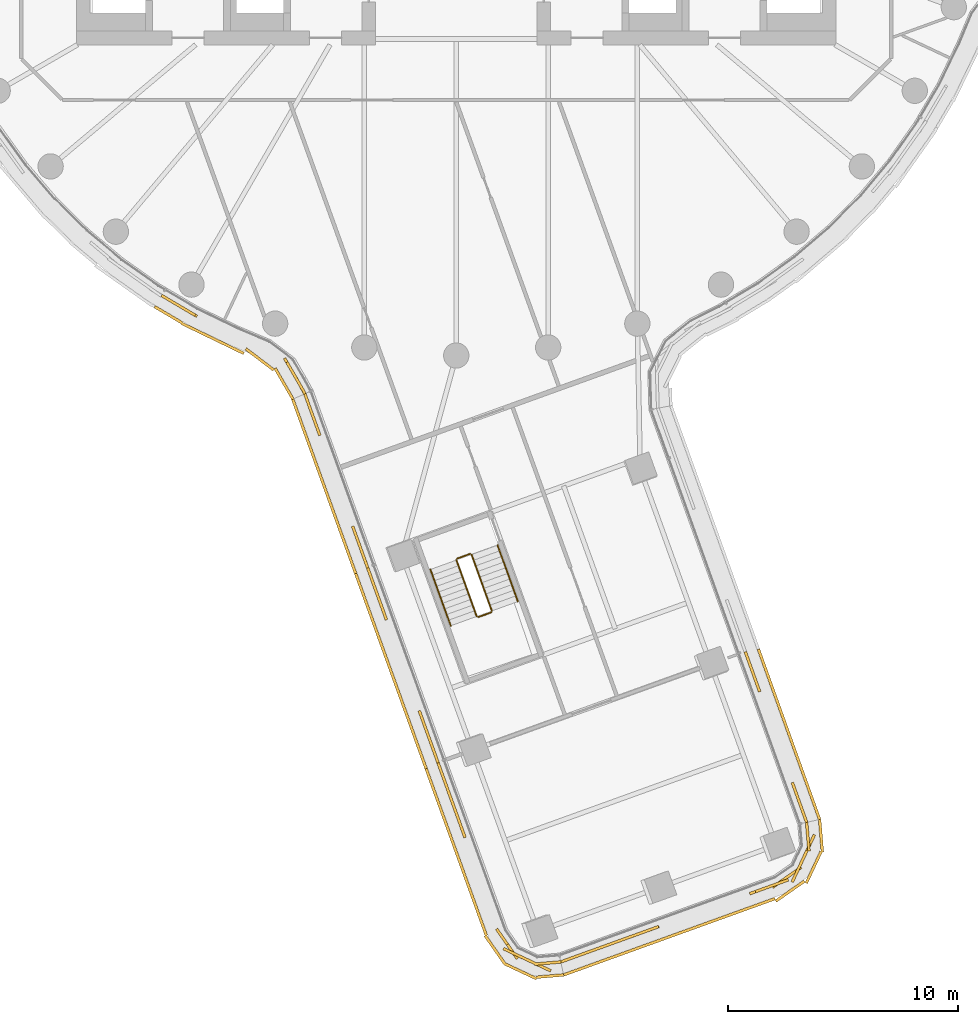
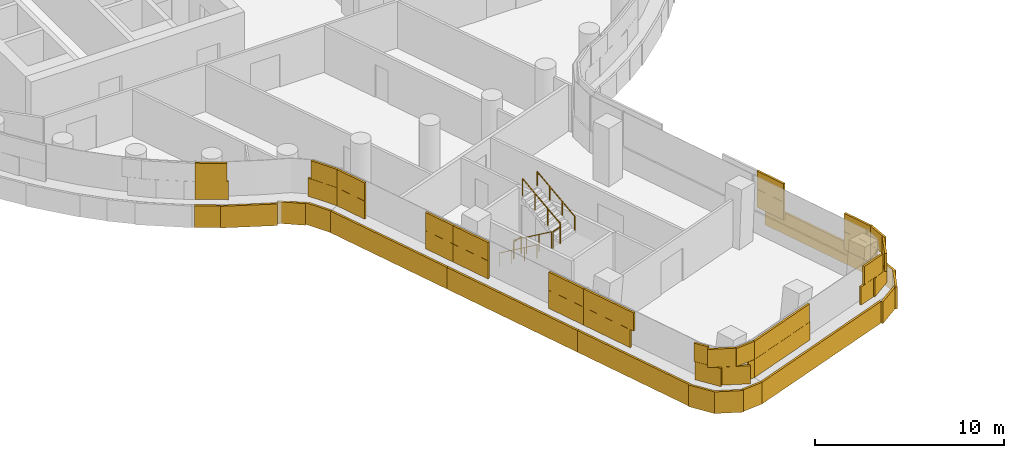
# One storey, part 24 of 30: 6 coverings, 6 railings.
"""IFC4 building model written with IfcOpenShell, lengths in metres."""

from ifc_helpers import new_model, si_unit, direction, frame, origin, origin_2d, place, context, subcontext, project, spatial, rectangle, circle, extrude, material, layer, layer_set, type_object, element, save


model = new_model("IFC4")

# Units and contexts
model_context = context("Model", 3, precision=1e-05, world=origin(), true_north=direction((0.0, 1.0)))
body_context = subcontext(model_context, "Body", "Model", "MODEL_VIEW")
ifc_project = project(units=[si_unit("LENGTHUNIT", "METRE"), si_unit("AREAUNIT", "SQUARE_METRE"), si_unit("VOLUMEUNIT", "CUBIC_METRE"), si_unit("PLANEANGLEUNIT", "RADIAN"), si_unit("MASSUNIT", "GRAM", prefix="KILO")], contexts=[model_context])

# Site, building, storey
site_placement = place(None, origin())
site = spatial("IfcSite", under=ifc_project, at=site_placement, CompositionType="ELEMENT")
building_placement = place(site_placement, origin())
building = spatial("IfcBuilding", under=site, at=building_placement, Name="Tamarind Cross Interchange Tower", CompositionType="ELEMENT")
storey_placement = place(building_placement, frame((0.0, 0.0, 106.0)))
storey = spatial("IfcBuildingStorey", under=building, at=storey_placement, Name="L25", CompositionType="ELEMENT", Elevation=106.0)

# Railings
ifc_material_1 = material(Name="Stair guard")
railing_type_1 = type_object("IfcRailingType", Name="Stair guard", PredefinedType="GUARDRAIL", material=ifc_material_1)
railing_1_placement = place(storey_placement, frame((0.007080078125, -31.885009765625, 0.17041015625)))
element("IfcRailing", 1, at=railing_1_placement, inside=storey, type_object=railing_type_1, Name="L25 ST6 stair guard 1", PredefinedType="GUARDRAIL", context=body_context, shape_type="SweptSolid", body=[
    extrude(circle(Radius=0.02392578125, at=origin_2d()), frame((0.0, 0.0, 1.076171875), z_axis=(0.284028229763, -0.786594077285, 0.548267929281), x_axis=(0.940561398365, 0.339623697503, 0.0)), (0.0, 0.0, 1.0), 3.109130859375),
    extrude(circle(Radius=0.02099609375, at=origin_2d()), origin(), (0.0, 0.0, 1.0), 1.052001953125),
    extrude(circle(Radius=0.02099609375, at=origin_2d()), frame((0.29443359375, -0.815185546875, 0.568115234375)), (0.0, 0.0, 1.0), 1.052001953125),
    extrude(circle(Radius=0.02099609375, at=origin_2d()), frame((0.588623046875, -1.63037109375, 1.136474609375)), (0.0, 0.0, 1.0), 1.052001953125),
    extrude(circle(Radius=0.02099609375, at=origin_2d()), frame((0.883056640625, -2.445556640625, 1.70458984375)), (0.0, 0.0, 1.0), 1.052001953125),
])
railing_2_placement = place(storey_placement, frame((0.9541015625, -34.360595703125, 1.875)))
element("IfcRailing", 2, at=railing_2_placement, inside=storey, type_object=railing_type_1, Name="L25 ST6 stair guard 2", PredefinedType="GUARDRAIL", context=body_context, shape_type="SweptSolid", body=[
    extrude(circle(Radius=0.02392578125, at=origin_2d()), frame((0.0, 0.0, 1.076171875), z_axis=(0.940492492574, 0.339814466161, 0.0), x_axis=(-0.339814466161, 0.940492492574, 0.0)), (0.0, 0.0, 1.0), 0.599853515625),
    extrude(circle(Radius=0.02099609375, at=origin_2d()), origin(), (0.0, 0.0, 1.0), 1.052001953125),
    extrude(circle(Radius=0.02099609375, at=origin_2d()), frame((0.564208984375, 0.203857421875, 0.0)), (0.0, 0.0, 1.0), 1.052001953125),
])
railing_3_placement = place(storey_placement, frame((1.54833984375, -34.0927734375, 2.04541015625)))
element("IfcRailing", 3, at=railing_3_placement, inside=storey, type_object=railing_type_1, Name="L25 ST6 stair guard 3", PredefinedType="GUARDRAIL", context=body_context, shape_type="SweptSolid", body=[
    extrude(circle(Radius=0.02392578125, at=origin_2d()), frame((0.0, 0.0, 1.076171875), z_axis=(-0.28395603628, 0.786611619308, 0.548280156335), x_axis=(-0.940591389669, -0.339540627438, 0.0)), (0.0, 0.0, 1.0), 3.10888671875),
    extrude(circle(Radius=0.02099609375, at=origin_2d()), origin(), (0.0, 0.0, 1.0), 1.052001953125),
    extrude(circle(Radius=0.02099609375, at=origin_2d()), frame((-0.294189453125, 0.815185546875, 0.568115234375)), (0.0, 0.0, 1.0), 1.052001953125),
    extrude(circle(Radius=0.02099609375, at=origin_2d()), frame((-0.588623046875, 1.63037109375, 1.136474609375)), (0.0, 0.0, 1.0), 1.052001953125),
    extrude(circle(Radius=0.02099609375, at=origin_2d()), frame((-0.8828125, 2.445556640625, 1.70458984375)), (0.0, 0.0, 1.0), 1.052001953125),
])
railing_4_placement = place(storey_placement, frame((0.037109375, -31.821044921875, 0.0)))
element("IfcRailing", 4, at=railing_4_placement, inside=storey, type_object=railing_type_1, Name="L25 ST6 stair guard 4", PredefinedType="GUARDRAIL", context=body_context, shape_type="SweptSolid", body=[
    extrude(circle(Radius=0.02392578125, at=origin_2d()), frame((0.0, 0.0, 1.076171875), z_axis=(0.94053945925, 0.339684450032, 0.0), x_axis=(-0.339684450032, 0.94053945925, 0.0)), (0.0, 0.0, 1.0), 0.60009765625),
    extrude(circle(Radius=0.02099609375, at=origin_2d()), origin(), (0.0, 0.0, 1.0), 1.052001953125),
    extrude(circle(Radius=0.02099609375, at=origin_2d()), frame((0.564453125, 0.203857421875, 0.0)), (0.0, 0.0, 1.0), 1.052001953125),
])
ifc_material_2 = material(Name="Stair handrail")
railing_type_2 = type_object("IfcRailingType", Name="Stair handrail", PredefinedType="HANDRAIL", material=ifc_material_2)
railing_5_placement = place(storey_placement, frame((-1.12158203125, -32.29248046875, 0.17041015625)))
element("IfcRailing", 5, at=railing_5_placement, inside=storey, type_object=railing_type_2, Name="L25 ST6 stair handrail 1", PredefinedType="HANDRAIL", context=body_context, shape_type="SweptSolid", body=[
    extrude(circle(Radius=0.02392578125, at=origin_2d()), frame((0.0, 0.0, 0.8759765625), z_axis=(0.284028229763, -0.786594077285, 0.548267929281), x_axis=(0.940561398365, 0.339623697503, 0.0)), (0.0, 0.0, 1.0), 3.109130859375),
    extrude(circle(Radius=0.02099609375, at=origin_2d()), origin(), (0.0, 0.0, 1.0), 0.851806640625),
    extrude(circle(Radius=0.02099609375, at=origin_2d()), frame((0.29443359375, -0.815185546875, 0.568115234375)), (0.0, 0.0, 1.0), 0.851806640625),
    extrude(circle(Radius=0.02099609375, at=origin_2d()), frame((0.588623046875, -1.63037109375, 1.136474609375)), (0.0, 0.0, 1.0), 0.851806640625),
    extrude(circle(Radius=0.02099609375, at=origin_2d()), frame((0.883056640625, -2.445556640625, 1.70458984375)), (0.0, 0.0, 1.0), 0.851806640625),
])
railing_6_placement = place(storey_placement, frame((2.67724609375, -33.685302734375, 2.04541015625)))
element("IfcRailing", 6, at=railing_6_placement, inside=storey, type_object=railing_type_2, Name="L25 ST6 stair handrail 2", PredefinedType="HANDRAIL", context=body_context, shape_type="SweptSolid", body=[
    extrude(circle(Radius=0.02392578125, at=origin_2d()), frame((0.0, 0.0, 0.8759765625), z_axis=(-0.284028229763, 0.786594077285, 0.548267929281), x_axis=(-0.940561398365, -0.339623697503, 0.0)), (0.0, 0.0, 1.0), 3.109130859375),
    extrude(circle(Radius=0.02099609375, at=origin_2d()), origin(), (0.0, 0.0, 1.0), 0.851806640625),
    extrude(circle(Radius=0.02099609375, at=origin_2d()), frame((-0.29443359375, 0.815185546875, 0.568115234375)), (0.0, 0.0, 1.0), 0.851806640625),
    extrude(circle(Radius=0.02099609375, at=origin_2d()), frame((-0.588623046875, 1.63037109375, 1.136474609375)), (0.0, 0.0, 1.0), 0.851806640625),
    extrude(circle(Radius=0.02099609375, at=origin_2d()), frame((-0.883056640625, 2.445556640625, 1.70458984375)), (0.0, 0.0, 1.0), 0.851806640625),
])

# Coverings
ifc_material_3 = material(Name="Terracotta", Category="masonry")
ifc_layer = layer(ifc_material_3, 0.1201171875)
ifc_layer_set = layer_set([ifc_layer], Name="Terracotta")
covering_type = type_object("IfcCoveringType", Name="Terracotta baguette screen unit", PredefinedType="MOLDING", material=ifc_layer_set)
covering_1_placement = place(storey_placement, origin())
element("IfcCovering", 7, at=covering_1_placement, inside=storey, type_object=covering_type, Name="SCR-L25-02-01", PredefinedType="MOLDING", context=body_context, shape_type="SweptSolid", body=[
    extrude(rectangle(XDim=0.937744140625, YDim=0.1201171875, at=origin_2d()), frame((-12.394775390625, -20.62890625, 1.404052734375), z_axis=(0.0, 0.0, 1.0), x_axis=(0.861248933065, -0.508183308752, 0.0)), (0.0, 0.0, 1.0), 1.1669921875),
    extrude(rectangle(XDim=0.85595703125, YDim=0.1201171875, at=origin_2d()), frame((-11.630859375, -21.07958984375, 1.404052734375), z_axis=(0.0, 0.0, 1.0), x_axis=(0.861248933065, -0.508183308752, 0.0)), (0.0, 0.0, 1.0), 1.1669921875),
    extrude(rectangle(XDim=0.9638671875, YDim=0.1201171875, at=origin_2d()), frame((-7.216064453125, -23.53369140625, 1.404052734375), z_axis=(0.0, 0.0, 1.0), x_axis=(0.500591596881, -0.86568357564, 0.0)), (0.0, 0.0, 1.0), 1.1669921875),
    extrude(rectangle(XDim=0.829833984375, YDim=0.1201171875, at=origin_2d()), frame((-6.77490234375, -24.302978515625, 1.404052734375), z_axis=(0.0, 0.0, 1.0), x_axis=(0.483040950058, -0.875597761856, 0.0)), (0.0, 0.0, 1.0), 1.1669921875),
    extrude(rectangle(XDim=0.187744140625, YDim=0.1201171875, at=origin_2d()), frame((-12.7177734375, -20.438232421875, 2.5791015625), z_axis=(0.0, 0.0, 1.0), x_axis=(0.861248933065, -0.508183308752, 0.0)), (0.0, 0.0, 1.0), 1.1669921875),
    extrude(rectangle(XDim=1.52001953125, YDim=0.1201171875, at=origin_2d()), frame((-11.995361328125, -20.86474609375, 2.5791015625), z_axis=(0.0, 0.0, 1.0), x_axis=(0.861248933065, -0.508183308752, 0.0)), (0.0, 0.0, 1.0), 1.1669921875),
    extrude(rectangle(XDim=1.52001953125, YDim=0.1201171875, at=origin_2d()), frame((-6.977294921875, -23.946533203125, 2.5791015625), z_axis=(0.0, 0.0, 1.0), x_axis=(0.500591596881, -0.86568357564, 0.0)), (0.0, 0.0, 1.0), 1.1669921875),
    extrude(rectangle(XDim=0.079833984375, YDim=0.1201171875, at=origin_2d()), frame((-6.59375, -24.63134765625, 2.5791015625), z_axis=(0.0, 0.0, 1.0), x_axis=(0.483040950058, -0.875597761856, 0.0)), (0.0, 0.0, 1.0), 1.1669921875),
    extrude(rectangle(XDim=1.37744140625, YDim=0.1201171875, at=origin_2d()), frame((-12.50634765625, -21.2294921875, 0.00390625), z_axis=(0.0, 0.0, 1.0), x_axis=(0.861248933065, -0.508183308752, 0.0)), (0.0, 0.0, 1.0), 1.39208984375),
    extrude(rectangle(XDim=1.52001953125, YDim=0.1201171875, at=origin_2d()), frame((-11.25927734375, -21.924560546875, 0.00390625), z_axis=(0.0, 0.0, 1.0), x_axis=(0.900272776334, -0.435326231914, 0.0)), (0.0, 0.0, 1.0), 1.39208984375),
    extrude(rectangle(XDim=1.52001953125, YDim=0.1201171875, at=origin_2d()), frame((-9.908935546875, -22.577392578125, 0.00390625), z_axis=(0.0, 0.0, 1.0), x_axis=(0.900272776334, -0.435326231914, 0.0)), (0.0, 0.0, 1.0), 1.39208984375),
    extrude(rectangle(XDim=1.52001953125, YDim=0.1201171875, at=origin_2d()), frame((-8.53125, -23.169189453125, 0.00390625), z_axis=(0.0, 0.0, 1.0), x_axis=(0.795747942698, -0.605627948242, 0.0)), (0.0, 0.0, 1.0), 1.39208984375),
    extrude(rectangle(XDim=1.52001953125, YDim=0.1201171875, at=origin_2d()), frame((-7.488037109375, -24.2099609375, 0.00390625), z_axis=(0.0, 0.0, 1.0), x_axis=(0.500591596881, -0.86568357564, 0.0)), (0.0, 0.0, 1.0), 1.39208984375),
    extrude(rectangle(XDim=0.050537109375, YDim=0.1201171875, at=origin_2d()), frame((-7.113525390625, -24.87744140625, 0.00390625), z_axis=(0.0, 0.0, 1.0), x_axis=(0.483040950058, -0.875597761856, 0.0)), (0.0, 0.0, 1.0), 1.39208984375),
])
covering_2_placement = place(storey_placement, origin())
element("IfcCovering", 8, at=covering_2_placement, inside=storey, type_object=covering_type, Name="SCR-L25-03-00", PredefinedType="MOLDING", context=body_context, shape_type="SweptSolid", body=[
    extrude(rectangle(XDim=0.760009765625, YDim=0.1201171875, at=origin_2d()), frame((-6.449462890625, -25.0146484375, 1.404052734375), z_axis=(0.0, 0.0, 1.0), x_axis=(0.339578564011, -0.94057769422, 0.0)), (0.0, 0.0, 1.0), 1.1669921875),
    extrude(rectangle(XDim=1.17919921875, YDim=0.1201171875, at=origin_2d()), frame((-6.123779296875, -25.917236328125, 1.404052734375), z_axis=(0.0, 0.0, 1.0), x_axis=(0.339578564011, -0.94057769422, 0.0)), (0.0, 0.0, 1.0), 1.1669921875),
    extrude(rectangle(XDim=0.640869140625, YDim=0.1201171875, at=origin_2d()), frame((-4.391845703125, -30.714111328125, 1.404052734375), z_axis=(0.0, 0.0, 1.0), x_axis=(0.339578564011, -0.94057769422, 0.0)), (0.0, 0.0, 1.0), 1.1669921875),
    extrude(rectangle(XDim=1.29833984375, YDim=0.1201171875, at=origin_2d()), frame((-4.06591796875, -31.61669921875, 1.404052734375), z_axis=(0.0, 0.0, 1.0), x_axis=(0.339578564011, -0.94057769422, 0.0)), (0.0, 0.0, 1.0), 1.1669921875),
    extrude(rectangle(XDim=1.510009765625, YDim=0.1201171875, at=origin_2d()), frame((-6.322265625, -25.367431640625, 2.5791015625), z_axis=(0.0, 0.0, 1.0), x_axis=(0.339578564011, -0.94057769422, 0.0)), (0.0, 0.0, 1.0), 1.1669921875),
    extrude(rectangle(XDim=0.42919921875, YDim=0.1201171875, at=origin_2d()), frame((-5.996337890625, -26.27001953125, 2.5791015625), z_axis=(0.0, 0.0, 1.0), x_axis=(0.339578564011, -0.94057769422, 0.0)), (0.0, 0.0, 1.0), 1.1669921875),
    extrude(rectangle(XDim=1.390869140625, YDim=0.1201171875, at=origin_2d()), frame((-4.264404296875, -31.06689453125, 2.5791015625), z_axis=(0.0, 0.0, 1.0), x_axis=(0.339578564011, -0.94057769422, 0.0)), (0.0, 0.0, 1.0), 1.1669921875),
    extrude(rectangle(XDim=0.54833984375, YDim=0.1201171875, at=origin_2d()), frame((-3.938720703125, -31.969482421875, 2.5791015625), z_axis=(0.0, 0.0, 1.0), x_axis=(0.339578564011, -0.94057769422, 0.0)), (0.0, 0.0, 1.0), 1.1669921875),
    extrude(rectangle(XDim=0.760009765625, YDim=0.1201171875, at=origin_2d()), frame((-6.972412109375, -25.2568359375, 0.00390625), z_axis=(0.0, 0.0, 1.0), x_axis=(0.339578564011, -0.94057769422, 0.0)), (0.0, 0.0, 1.0), 1.39208984375),
    extrude(rectangle(XDim=1.52001953125, YDim=0.1201171875, at=origin_2d()), frame((-6.592041015625, -26.310302734375, 0.00390625), z_axis=(0.0, 0.0, 1.0), x_axis=(0.339578564011, -0.94057769422, 0.0)), (0.0, 0.0, 1.0), 1.39208984375),
    extrude(rectangle(XDim=1.52001953125, YDim=0.1201171875, at=origin_2d()), frame((-6.08251953125, -27.72119140625, 0.00390625), z_axis=(0.0, 0.0, 1.0), x_axis=(0.339578564011, -0.94057769422, 0.0)), (0.0, 0.0, 1.0), 1.39208984375),
    extrude(rectangle(XDim=1.52001953125, YDim=0.1201171875, at=origin_2d()), frame((-5.5732421875, -29.132080078125, 0.00390625), z_axis=(0.0, 0.0, 1.0), x_axis=(0.339578564011, -0.94057769422, 0.0)), (0.0, 0.0, 1.0), 1.39208984375),
    extrude(rectangle(XDim=1.52001953125, YDim=0.1201171875, at=origin_2d()), frame((-5.06396484375, -30.54296875, 0.00390625), z_axis=(0.0, 0.0, 1.0), x_axis=(0.339578564011, -0.94057769422, 0.0)), (0.0, 0.0, 1.0), 1.39208984375),
    extrude(rectangle(XDim=1.30810546875, YDim=0.1201171875, at=origin_2d()), frame((-4.590576171875, -31.854248046875, 0.00390625), z_axis=(0.0, 0.0, 1.0), x_axis=(0.339578564011, -0.94057769422, 0.0)), (0.0, 0.0, 1.0), 1.39208984375),
])
covering_3_placement = place(storey_placement, origin())
element("IfcCovering", 9, at=covering_3_placement, inside=storey, type_object=covering_type, Name="SCR-L25-03-01", PredefinedType="MOLDING", context=body_context, shape_type="SweptSolid", body=[
    extrude(rectangle(XDim=0.2216796875, YDim=0.1201171875, at=origin_2d()), frame((-3.811279296875, -32.322021484375, 1.404052734375), z_axis=(0.0, 0.0, 1.0), x_axis=(0.339578564011, -0.94057769422, 0.0)), (0.0, 0.0, 1.0), 1.1669921875),
    extrude(rectangle(XDim=1.52001953125, YDim=0.1201171875, at=origin_2d()), frame((-3.520751953125, -33.127197265625, 1.404052734375), z_axis=(0.0, 0.0, 1.0), x_axis=(0.339578564011, -0.94057769422, 0.0)), (0.0, 0.0, 1.0), 1.1669921875),
    extrude(rectangle(XDim=0.698974609375, YDim=0.1201171875, at=origin_2d()), frame((-3.14892578125, -34.15673828125, 1.404052734375), z_axis=(0.0, 0.0, 1.0), x_axis=(0.339578564011, -0.94057769422, 0.0)), (0.0, 0.0, 1.0), 1.1669921875),
    extrude(rectangle(XDim=1.120849609375, YDim=0.1201171875, at=origin_2d()), frame((-1.417236328125, -38.95361328125, 1.404052734375), z_axis=(0.0, 0.0, 1.0), x_axis=(0.339578564011, -0.94057769422, 0.0)), (0.0, 0.0, 1.0), 1.1669921875),
    extrude(rectangle(XDim=1.300048828125, YDim=0.1201171875, at=origin_2d()), frame((-1.009521484375, -40.082763671875, 1.404052734375), z_axis=(0.0, 0.0, 1.0), x_axis=(0.339578564011, -0.94057769422, 0.0)), (0.0, 0.0, 1.0), 1.1669921875),
    extrude(rectangle(XDim=0.9716796875, YDim=0.1201171875, at=origin_2d()), frame((-3.68408203125, -32.6748046875, 2.5791015625), z_axis=(0.0, 0.0, 1.0), x_axis=(0.339578564011, -0.94057769422, 0.0)), (0.0, 0.0, 1.0), 1.1669921875),
    extrude(rectangle(XDim=1.448974609375, YDim=0.1201171875, at=origin_2d()), frame((-3.2763671875, -33.803955078125, 2.5791015625), z_axis=(0.0, 0.0, 1.0), x_axis=(0.339578564011, -0.94057769422, 0.0)), (0.0, 0.0, 1.0), 1.1669921875),
    extrude(rectangle(XDim=0.370849609375, YDim=0.1201171875, at=origin_2d()), frame((-1.54443359375, -38.600830078125, 2.5791015625), z_axis=(0.0, 0.0, 1.0), x_axis=(0.339578564011, -0.94057769422, 0.0)), (0.0, 0.0, 1.0), 1.1669921875),
    extrude(rectangle(XDim=1.52001953125, YDim=0.1201171875, at=origin_2d()), frame((-1.228515625, -39.47607421875, 2.5791015625), z_axis=(0.0, 0.0, 1.0), x_axis=(0.339578564011, -0.94057769422, 0.0)), (0.0, 0.0, 1.0), 1.1669921875),
    extrude(rectangle(XDim=0.550048828125, YDim=0.1201171875, at=origin_2d()), frame((-0.882080078125, -40.435302734375, 2.5791015625), z_axis=(0.0, 0.0, 1.0), x_axis=(0.339578564011, -0.94057769422, 0.0)), (0.0, 0.0, 1.0), 1.1669921875),
    extrude(rectangle(XDim=0.2119140625, YDim=0.1201171875, at=origin_2d()), frame((-4.33251953125, -32.569091796875, 0.00390625), z_axis=(0.0, 0.0, 1.0), x_axis=(0.339578564011, -0.94057769422, 0.0)), (0.0, 0.0, 1.0), 1.39208984375),
    extrude(rectangle(XDim=1.52001953125, YDim=0.1201171875, at=origin_2d()), frame((-4.045166015625, -33.36474609375, 0.00390625), z_axis=(0.0, 0.0, 1.0), x_axis=(0.339578564011, -0.94057769422, 0.0)), (0.0, 0.0, 1.0), 1.39208984375),
    extrude(rectangle(XDim=1.52001953125, YDim=0.1201171875, at=origin_2d()), frame((-3.535888671875, -34.775634765625, 0.00390625), z_axis=(0.0, 0.0, 1.0), x_axis=(0.339578564011, -0.94057769422, 0.0)), (0.0, 0.0, 1.0), 1.39208984375),
    extrude(rectangle(XDim=1.52001953125, YDim=0.1201171875, at=origin_2d()), frame((-3.0263671875, -36.1865234375, 0.00390625), z_axis=(0.0, 0.0, 1.0), x_axis=(0.339578564011, -0.94057769422, 0.0)), (0.0, 0.0, 1.0), 1.39208984375),
    extrude(rectangle(XDim=1.52001953125, YDim=0.1201171875, at=origin_2d()), frame((-2.51708984375, -37.597412109375, 0.00390625), z_axis=(0.0, 0.0, 1.0), x_axis=(0.339578564011, -0.94057769422, 0.0)), (0.0, 0.0, 1.0), 1.39208984375),
    extrude(rectangle(XDim=1.52001953125, YDim=0.1201171875, at=origin_2d()), frame((-2.007568359375, -39.00830078125, 0.00390625), z_axis=(0.0, 0.0, 1.0), x_axis=(0.339578564011, -0.94057769422, 0.0)), (0.0, 0.0, 1.0), 1.39208984375),
    extrude(rectangle(XDim=1.320556640625, YDim=0.1201171875, at=origin_2d()), frame((-1.5322265625, -40.3251953125, 0.00390625), z_axis=(0.0, 0.0, 1.0), x_axis=(0.339578564011, -0.94057769422, 0.0)), (0.0, 0.0, 1.0), 1.39208984375),
])
covering_4_placement = place(storey_placement, origin())
element("IfcCovering", 10, at=covering_4_placement, inside=storey, type_object=covering_type, Name="SCR-L25-03-02", PredefinedType="MOLDING", context=body_context, shape_type="SweptSolid", body=[
    extrude(rectangle(XDim=0.219970703125, YDim=0.1201171875, at=origin_2d()), frame((-0.7548828125, -40.7880859375, 1.404052734375), z_axis=(0.0, 0.0, 1.0), x_axis=(0.339578564011, -0.94057769422, 0.0)), (0.0, 0.0, 1.0), 1.1669921875),
    extrude(rectangle(XDim=1.52001953125, YDim=0.1201171875, at=origin_2d()), frame((-0.46435546875, -41.59228515625, 1.404052734375), z_axis=(0.0, 0.0, 1.0), x_axis=(0.339578564011, -0.94057769422, 0.0)), (0.0, 0.0, 1.0), 1.1669921875),
    extrude(rectangle(XDim=1.52001953125, YDim=0.1201171875, at=origin_2d()), frame((0.044921875, -43.003173828125, 1.404052734375), z_axis=(0.0, 0.0, 1.0), x_axis=(0.339578564011, -0.94057769422, 0.0)), (0.0, 0.0, 1.0), 1.1669921875),
    extrude(rectangle(XDim=1.52001953125, YDim=0.1201171875, at=origin_2d()), frame((2.219482421875, -48.57568359375, 1.404052734375), z_axis=(0.0, 0.0, 1.0), x_axis=(0.571447125695, -0.820638886804, 0.0)), (0.0, 0.0, 1.0), 1.1669921875),
    extrude(rectangle(XDim=1.52001953125, YDim=0.1201171875, at=origin_2d()), frame((3.4169921875, -49.4033203125, 1.404052734375), z_axis=(0.0, 0.0, 1.0), x_axis=(0.905207171174, -0.424970560458, 0.0)), (0.0, 0.0, 1.0), 1.1669921875),
    extrude(rectangle(XDim=0.39501953125, YDim=0.1201171875, at=origin_2d()), frame((4.350341796875, -49.35595703125, 1.404052734375), z_axis=(0.0, 0.0, 1.0), x_axis=(0.996417686153, 0.08456828437, 0.0)), (0.0, 0.0, 1.0), 1.1669921875),
    extrude(rectangle(XDim=0.969970703125, YDim=0.1201171875, at=origin_2d()), frame((-0.62744140625, -41.140869140625, 2.5791015625), z_axis=(0.0, 0.0, 1.0), x_axis=(0.339578564011, -0.94057769422, 0.0)), (0.0, 0.0, 1.0), 1.1669921875),
    extrude(rectangle(XDim=1.52001953125, YDim=0.1201171875, at=origin_2d()), frame((-0.209716796875, -42.2978515625, 2.5791015625), z_axis=(0.0, 0.0, 1.0), x_axis=(0.339578564011, -0.94057769422, 0.0)), (0.0, 0.0, 1.0), 1.1669921875),
    extrude(rectangle(XDim=0.997314453125, YDim=0.1201171875, at=origin_2d()), frame((0.212646484375, -43.467529296875, 2.5791015625), z_axis=(0.0, 0.0, 1.0), x_axis=(0.339578564011, -0.94057769422, 0.0)), (0.0, 0.0, 1.0), 1.1669921875),
    extrude(rectangle(XDim=0.822509765625, YDim=0.1201171875, at=origin_2d()), frame((1.9873046875, -48.242431640625, 2.5791015625), z_axis=(0.0, 0.0, 1.0), x_axis=(0.571447125695, -0.820638886804, 0.0)), (0.0, 0.0, 1.0), 1.1669921875),
    extrude(rectangle(XDim=1.52001953125, YDim=0.1201171875, at=origin_2d()), frame((2.738037109375, -49.08447265625, 2.5791015625), z_axis=(0.0, 0.0, 1.0), x_axis=(0.905207171174, -0.424970560458, 0.0)), (0.0, 0.0, 1.0), 1.1669921875),
    extrude(rectangle(XDim=1.14501953125, YDim=0.1201171875, at=origin_2d()), frame((3.9765625, -49.3876953125, 2.5791015625), z_axis=(0.0, 0.0, 1.0), x_axis=(0.996417686153, 0.08456828437, 0.0)), (0.0, 0.0, 1.0), 1.1669921875),
    extrude(rectangle(XDim=0.199462890625, YDim=0.1201171875, at=origin_2d()), frame((-1.274169921875, -41.0400390625, 0.00390625), z_axis=(0.0, 0.0, 1.0), x_axis=(0.339578564011, -0.94057769422, 0.0)), (0.0, 0.0, 1.0), 1.39208984375),
    extrude(rectangle(XDim=1.52001953125, YDim=0.1201171875, at=origin_2d()), frame((-0.989013671875, -41.829833984375, 0.00390625), z_axis=(0.0, 0.0, 1.0), x_axis=(0.339578564011, -0.94057769422, 0.0)), (0.0, 0.0, 1.0), 1.39208984375),
    extrude(rectangle(XDim=1.52001953125, YDim=0.1201171875, at=origin_2d()), frame((-0.4794921875, -43.24072265625, 0.00390625), z_axis=(0.0, 0.0, 1.0), x_axis=(0.339578564011, -0.94057769422, 0.0)), (0.0, 0.0, 1.0), 1.39208984375),
    extrude(rectangle(XDim=1.52001953125, YDim=0.1201171875, at=origin_2d()), frame((0.02978515625, -44.651611328125, 0.00390625), z_axis=(0.0, 0.0, 1.0), x_axis=(0.339578564011, -0.94057769422, 0.0)), (0.0, 0.0, 1.0), 1.39208984375),
    extrude(rectangle(XDim=1.52001953125, YDim=0.1201171875, at=origin_2d()), frame((0.5390625, -46.0625, 0.00390625), z_axis=(0.0, 0.0, 1.0), x_axis=(0.339578564011, -0.94057769422, 0.0)), (0.0, 0.0, 1.0), 1.39208984375),
    extrude(rectangle(XDim=1.52001953125, YDim=0.1201171875, at=origin_2d()), frame((1.048583984375, -47.473388671875, 0.00390625), z_axis=(0.0, 0.0, 1.0), x_axis=(0.339578564011, -0.94057769422, 0.0)), (0.0, 0.0, 1.0), 1.39208984375),
    extrude(rectangle(XDim=1.52001953125, YDim=0.1201171875, at=origin_2d()), frame((1.68798828125, -48.81689453125, 0.00390625), z_axis=(0.0, 0.0, 1.0), x_axis=(0.571447125695, -0.820638886804, 0.0)), (0.0, 0.0, 1.0), 1.39208984375),
    extrude(rectangle(XDim=1.52001953125, YDim=0.1201171875, at=origin_2d()), frame((2.798828125, -49.7470703125, 0.00390625), z_axis=(0.0, 0.0, 1.0), x_axis=(0.905207171174, -0.424970560458, 0.0)), (0.0, 0.0, 1.0), 1.39208984375),
    extrude(rectangle(XDim=1.19140625, YDim=0.1201171875, at=origin_2d()), frame((4.072265625, -49.95556640625, 0.00390625), z_axis=(0.0, 0.0, 1.0), x_axis=(0.996417686153, 0.08456828437, 0.0)), (0.0, 0.0, 1.0), 1.39208984375),
])
covering_5_placement = place(storey_placement, origin())
element("IfcCovering", 11, at=covering_5_placement, inside=storey, type_object=covering_type, Name="SCR-L25-04-00", PredefinedType="MOLDING", context=body_context, shape_type="SweptSolid", body=[
    extrude(rectangle(XDim=0.760009765625, YDim=0.1201171875, at=origin_2d()), frame((4.894775390625, -49.21240234375, 1.404052734375), z_axis=(0.0, 0.0, 1.0), x_axis=(0.94057769422, 0.339578564011, 0.0)), (0.0, 0.0, 1.0), 1.1669921875),
    extrude(rectangle(XDim=1.52001953125, YDim=0.1201171875, at=origin_2d()), frame((5.952880859375, -48.830322265625, 1.404052734375), z_axis=(0.0, 0.0, 1.0), x_axis=(0.94057769422, 0.339578564011, 0.0)), (0.0, 0.0, 1.0), 1.1669921875),
    extrude(rectangle(XDim=1.52001953125, YDim=0.1201171875, at=origin_2d()), frame((7.36376953125, -48.321044921875, 1.404052734375), z_axis=(0.0, 0.0, 1.0), x_axis=(0.94057769422, 0.339578564011, 0.0)), (0.0, 0.0, 1.0), 1.1669921875),
    extrude(rectangle(XDim=0.784912109375, YDim=0.1201171875, at=origin_2d()), frame((8.43359375, -47.934814453125, 1.404052734375), z_axis=(0.0, 0.0, 1.0), x_axis=(0.94057769422, 0.339578564011, 0.0)), (0.0, 0.0, 1.0), 1.1669921875),
    extrude(rectangle(XDim=1.03515625, YDim=0.1201171875, at=origin_2d()), frame((13.23046875, -46.202880859375, 1.404052734375), z_axis=(0.0, 0.0, 1.0), x_axis=(0.94057769422, 0.339578564011, 0.0)), (0.0, 0.0, 1.0), 1.1669921875),
    extrude(rectangle(XDim=1.52001953125, YDim=0.1201171875, at=origin_2d()), frame((14.361083984375, -45.66357421875, 1.404052734375), z_axis=(0.0, 0.0, 1.0), x_axis=(0.820638886804, 0.571447125695, 0.0)), (0.0, 0.0, 1.0), 1.1669921875),
    extrude(rectangle(XDim=1.52001953125, YDim=0.1201171875, at=origin_2d()), frame((15.23388671875, -44.50439453125, 1.404052734375), z_axis=(0.0, 0.0, 1.0), x_axis=(0.424970560458, 0.905207171174, 0.0)), (0.0, 0.0, 1.0), 1.1669921875),
    extrude(rectangle(XDim=0.509521484375, YDim=0.1201171875, at=origin_2d()), frame((15.240234375, -43.5244140625, 1.404052734375), z_axis=(0.0, 0.0, 1.0), x_axis=(-0.08456828437, 0.996417686153, 0.0)), (0.0, 0.0, 1.0), 1.1669921875),
    extrude(rectangle(XDim=1.510009765625, YDim=0.1201171875, at=origin_2d()), frame((5.24755859375, -49.0849609375, 2.5791015625), z_axis=(0.0, 0.0, 1.0), x_axis=(0.94057769422, 0.339578564011, 0.0)), (0.0, 0.0, 1.0), 1.1669921875),
    extrude(rectangle(XDim=1.52001953125, YDim=0.1201171875, at=origin_2d()), frame((6.658203125, -48.57568359375, 2.5791015625), z_axis=(0.0, 0.0, 1.0), x_axis=(0.94057769422, 0.339578564011, 0.0)), (0.0, 0.0, 1.0), 1.1669921875),
    extrude(rectangle(XDim=1.52001953125, YDim=0.1201171875, at=origin_2d()), frame((8.069091796875, -48.066162109375, 2.5791015625), z_axis=(0.0, 0.0, 1.0), x_axis=(0.94057769422, 0.339578564011, 0.0)), (0.0, 0.0, 1.0), 1.1669921875),
    extrude(rectangle(XDim=1.52001953125, YDim=0.1201171875, at=origin_2d()), frame((13.712646484375, -46.02880859375, 2.5791015625), z_axis=(0.0, 0.0, 1.0), x_axis=(0.94057769422, 0.339578564011, 0.0)), (0.0, 0.0, 1.0), 1.1669921875),
    extrude(rectangle(XDim=1.52001953125, YDim=0.1201171875, at=origin_2d()), frame((14.9150390625, -45.183349609375, 2.5791015625), z_axis=(0.0, 0.0, 1.0), x_axis=(0.424970560458, 0.905207171174, 0.0)), (0.0, 0.0, 1.0), 1.1669921875),
    extrude(rectangle(XDim=1.259521484375, YDim=0.1201171875, at=origin_2d()), frame((15.27197265625, -43.898193359375, 2.5791015625), z_axis=(0.0, 0.0, 1.0), x_axis=(-0.08456828437, 0.996417686153, 0.0)), (0.0, 0.0, 1.0), 1.1669921875),
    extrude(rectangle(XDim=0.760009765625, YDim=0.1201171875, at=origin_2d()), frame((5.023193359375, -49.776123046875, 0.00390625), z_axis=(0.0, 0.0, 1.0), x_axis=(0.94057769422, 0.339578564011, 0.0)), (0.0, 0.0, 1.0), 1.39208984375),
    extrude(rectangle(XDim=1.52001953125, YDim=0.1201171875, at=origin_2d()), frame((6.07666015625, -49.39599609375, 0.00390625), z_axis=(0.0, 0.0, 1.0), x_axis=(0.94057769422, 0.339578564011, 0.0)), (0.0, 0.0, 1.0), 1.39208984375),
    extrude(rectangle(XDim=1.52001953125, YDim=0.1201171875, at=origin_2d()), frame((7.487548828125, -48.886474609375, 0.00390625), z_axis=(0.0, 0.0, 1.0), x_axis=(0.94057769422, 0.339578564011, 0.0)), (0.0, 0.0, 1.0), 1.39208984375),
    extrude(rectangle(XDim=1.52001953125, YDim=0.1201171875, at=origin_2d()), frame((8.8984375, -48.377197265625, 0.00390625), z_axis=(0.0, 0.0, 1.0), x_axis=(0.94057769422, 0.339578564011, 0.0)), (0.0, 0.0, 1.0), 1.39208984375),
    extrude(rectangle(XDim=1.52001953125, YDim=0.1201171875, at=origin_2d()), frame((10.309326171875, -47.86767578125, 0.00390625), z_axis=(0.0, 0.0, 1.0), x_axis=(0.94057769422, 0.339578564011, 0.0)), (0.0, 0.0, 1.0), 1.39208984375),
    extrude(rectangle(XDim=1.52001953125, YDim=0.1201171875, at=origin_2d()), frame((11.72021484375, -47.3583984375, 0.00390625), z_axis=(0.0, 0.0, 1.0), x_axis=(0.94057769422, 0.339578564011, 0.0)), (0.0, 0.0, 1.0), 1.39208984375),
    extrude(rectangle(XDim=1.52001953125, YDim=0.1201171875, at=origin_2d()), frame((13.131103515625, -46.84912109375, 0.00390625), z_axis=(0.0, 0.0, 1.0), x_axis=(0.94057769422, 0.339578564011, 0.0)), (0.0, 0.0, 1.0), 1.39208984375),
    extrude(rectangle(XDim=1.52001953125, YDim=0.1201171875, at=origin_2d()), frame((14.5029296875, -46.26416015625, 0.00390625), z_axis=(0.0, 0.0, 1.0), x_axis=(0.820638886804, 0.571447125695, 0.0)), (0.0, 0.0, 1.0), 1.39208984375),
    extrude(rectangle(XDim=1.52001953125, YDim=0.1201171875, at=origin_2d()), frame((15.5263671875, -45.23193359375, 0.00390625), z_axis=(0.0, 0.0, 1.0), x_axis=(0.424970560458, 0.905207171174, 0.0)), (0.0, 0.0, 1.0), 1.39208984375),
    extrude(rectangle(XDim=1.4267578125, YDim=0.1201171875, at=origin_2d()), frame((15.844970703125, -43.863037109375, 0.00390625), z_axis=(0.0, 0.0, 1.0), x_axis=(-0.08456828437, 0.996417686153, 0.0)), (0.0, 0.0, 1.0), 1.39208984375),
])
covering_6_placement = place(storey_placement, origin())
element("IfcCovering", 12, at=covering_6_placement, inside=storey, type_object=covering_type, Name="SCR-L25-05-00", PredefinedType="MOLDING", context=body_context, shape_type="SweptSolid", body=[
    extrude(rectangle(XDim=0.760009765625, YDim=0.1201171875, at=origin_2d()), frame((15.09228515625, -42.922607421875, 1.404052734375), z_axis=(0.0, 0.0, 1.0), x_axis=(-0.338128919647, 0.941099800074, 0.0)), (0.0, 0.0, 1.0), 1.1669921875),
    extrude(rectangle(XDim=1.09326171875, YDim=0.1201171875, at=origin_2d()), frame((14.7822265625, -42.06005859375, 1.404052734375), z_axis=(0.0, 0.0, 1.0), x_axis=(-0.338128919647, 0.941099800074, 0.0)), (0.0, 0.0, 1.0), 1.1669921875),
    extrude(rectangle(XDim=0.726806640625, YDim=0.1201171875, at=origin_2d()), frame((13.057861328125, -37.260498046875, 1.404052734375), z_axis=(0.0, 0.0, 1.0), x_axis=(-0.338128919647, 0.941099800074, 0.0)), (0.0, 0.0, 1.0), 1.1669921875),
    extrude(rectangle(XDim=1.12646484375, YDim=0.1201171875, at=origin_2d()), frame((12.748046875, -36.397705078125, 1.404052734375), z_axis=(0.0, 0.0, 1.0), x_axis=(-0.338128919647, 0.941099800074, 0.0)), (0.0, 0.0, 1.0), 1.1669921875),
    extrude(rectangle(XDim=1.510009765625, YDim=0.1201171875, at=origin_2d()), frame((14.965576171875, -42.56982421875, 2.5791015625), z_axis=(0.0, 0.0, 1.0), x_axis=(-0.338128919647, 0.941099800074, 0.0)), (0.0, 0.0, 1.0), 1.1669921875),
    extrude(rectangle(XDim=0.34326171875, YDim=0.1201171875, at=origin_2d()), frame((14.655517578125, -41.70703125, 2.5791015625), z_axis=(0.0, 0.0, 1.0), x_axis=(-0.338128919647, 0.941099800074, 0.0)), (0.0, 0.0, 1.0), 1.1669921875),
    extrude(rectangle(XDim=1.476806640625, YDim=0.1201171875, at=origin_2d()), frame((12.93115234375, -36.907470703125, 2.5791015625), z_axis=(0.0, 0.0, 1.0), x_axis=(-0.338128919647, 0.941099800074, 0.0)), (0.0, 0.0, 1.0), 1.1669921875),
    extrude(rectangle(XDim=0.37646484375, YDim=0.1201171875, at=origin_2d()), frame((12.62109375, -36.044921875, 2.5791015625), z_axis=(0.0, 0.0, 1.0), x_axis=(-0.338128919647, 0.941099800074, 0.0)), (0.0, 0.0, 1.0), 1.1669921875),
    extrude(rectangle(XDim=0.760009765625, YDim=0.1201171875, at=origin_2d()), frame((15.65625, -42.794677734375, 0.00390625), z_axis=(0.0, 0.0, 1.0), x_axis=(-0.338128919647, 0.941099800074, 0.0)), (0.0, 0.0, 1.0), 1.39208984375),
    extrude(rectangle(XDim=1.52001953125, YDim=0.1201171875, at=origin_2d()), frame((15.27734375, -41.740478515625, 0.00390625), z_axis=(0.0, 0.0, 1.0), x_axis=(-0.338128919647, 0.941099800074, 0.0)), (0.0, 0.0, 1.0), 1.39208984375),
    extrude(rectangle(XDim=1.52001953125, YDim=0.1201171875, at=origin_2d()), frame((14.770263671875, -40.328857421875, 0.00390625), z_axis=(0.0, 0.0, 1.0), x_axis=(-0.338128919647, 0.941099800074, 0.0)), (0.0, 0.0, 1.0), 1.39208984375),
    extrude(rectangle(XDim=1.52001953125, YDim=0.1201171875, at=origin_2d()), frame((14.26318359375, -38.917236328125, 0.00390625), z_axis=(0.0, 0.0, 1.0), x_axis=(-0.338128919647, 0.941099800074, 0.0)), (0.0, 0.0, 1.0), 1.39208984375),
    extrude(rectangle(XDim=1.52001953125, YDim=0.1201171875, at=origin_2d()), frame((13.755859375, -37.505615234375, 0.00390625), z_axis=(0.0, 0.0, 1.0), x_axis=(-0.338128919647, 0.941099800074, 0.0)), (0.0, 0.0, 1.0), 1.39208984375),
    extrude(rectangle(XDim=1.11962890625, YDim=0.1201171875, at=origin_2d()), frame((13.31640625, -36.2822265625, 0.00390625), z_axis=(0.0, 0.0, 1.0), x_axis=(-0.338128919647, 0.941099800074, 0.0)), (0.0, 0.0, 1.0), 1.39208984375),
])

save(model, "model.ifc")
